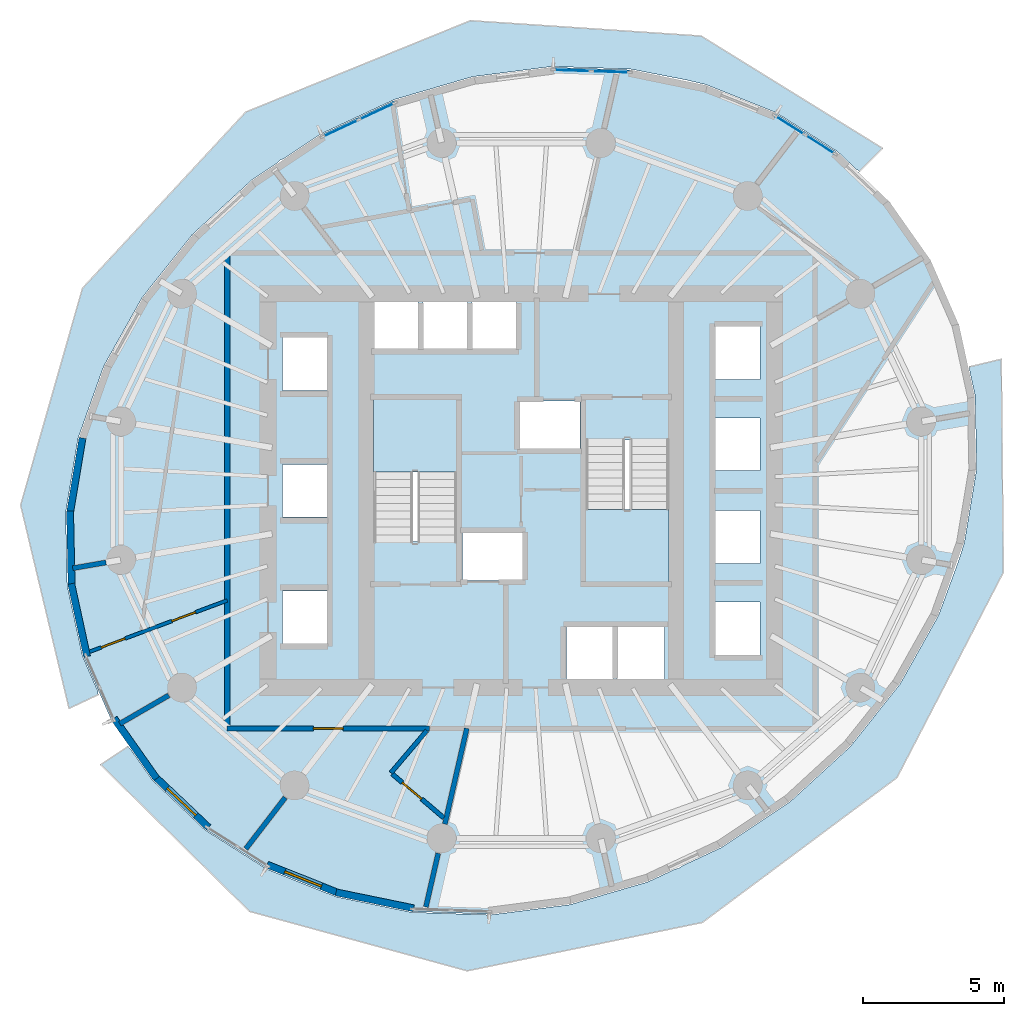
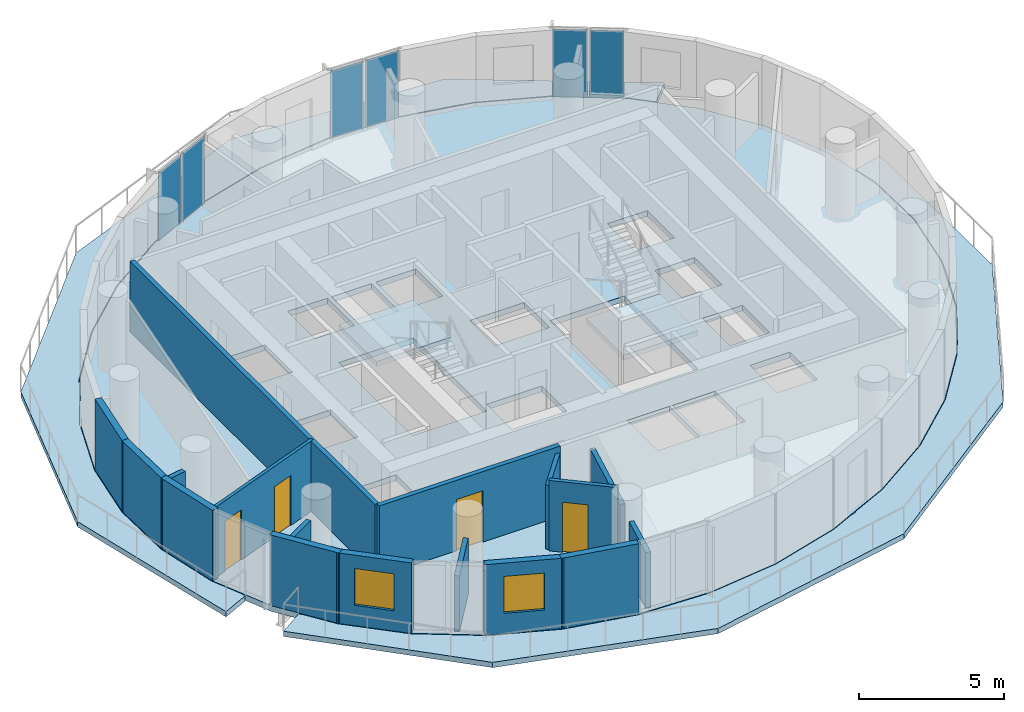
# One storey, part 5 of 13: 17 walls, 6 plates, 5 slabs, 4 doors, 2 windows, 6 openings, 5 elements without a shape of their own.
"""IFC4 building model written with IfcOpenShell, lengths in metres."""

from ifc_helpers import new_model, si_unit, direction, frame, frame_2d, origin, origin_2d, place, context, subcontext, project, spatial, polyline, rectangle, outline, extrude, material, layer, layer_set, type_object, element, fill, aggregate, save


model = new_model("IFC4")

# Units and contexts
model_context = context("Model", 3, precision=1e-05, world=origin(), true_north=direction((0.0, 1.0)))
body_context = subcontext(model_context, "Body", "Model", "MODEL_VIEW")
ifc_project = project(units=[si_unit("LENGTHUNIT", "METRE"), si_unit("AREAUNIT", "SQUARE_METRE"), si_unit("VOLUMEUNIT", "CUBIC_METRE"), si_unit("PLANEANGLEUNIT", "RADIAN"), si_unit("MASSUNIT", "GRAM", prefix="KILO")], contexts=[model_context])

# Site, building, storey
site_placement = place(None, origin())
site = spatial("IfcSite", under=ifc_project, at=site_placement, CompositionType="ELEMENT")
building_placement = place(site_placement, origin())
building = spatial("IfcBuilding", under=site, at=building_placement, Name="Veldorim Arch Residences", CompositionType="ELEMENT")
storey_placement = place(building_placement, frame((0.0, 0.0, 120.159912109375)))
storey = spatial("IfcBuildingStorey", under=building, at=storey_placement, Name="L35", CompositionType="ELEMENT", Elevation=120.159912109375)

# Slabs
ifc_material_1 = material(Name="Concrete C40/50", Category="concrete")
ifc_layer_1 = layer(ifc_material_1, 0.219970703125, Name="Planted Crescent Cantilever Balcony Slab 220")
ifc_layer_set_1 = layer_set([ifc_layer_1], Name="Concrete C40/50")
slab_type_1 = type_object("IfcSlabType", Name="Planted Crescent Cantilever Balcony Slab 220", PredefinedType="FLOOR", material=ifc_layer_set_1)
slab_1_placement = place(storey_placement, frame((0.0, 0.0, -0.219970703125)))
element("IfcSlab", 1, at=slab_1_placement, inside=storey, type_object=slab_type_1, Name="L35 planted crescent balcony slab A", PredefinedType="FLOOR", context=body_context, shape_type="SweptSolid", body=[
    extrude(outline(polyline([(43.914306640625, 35.419677734375), (43.249267578125, 36.050048828125), (41.047607421875, 37.447265625), (38.57080078125, 38.435302734375), (37.8876953125, 38.596435546875), (35.894775390625, 38.985107421875), (33.1005859375, 39.079345703125), (30.27294921875, 38.715576171875), (27.498046875, 37.90478515625), (24.85986328125, 36.671875), (23.56103515625, 35.80419921875), (23.4208984375, 35.744873046875), (23.329345703125, 35.6494140625), (22.4384765625, 35.053955078125), (20.3076171875, 33.100341796875), (18.531494140625, 30.8701171875), (17.164794921875, 28.43115234375), (16.24853515625, 25.857421875), (15.81103515625, 23.22705078125), (15.865478515625, 20.6201171875), (16.41015625, 18.115478515625), (16.94287109375, 16.89892578125), (16.967529296875, 16.7509765625), (15.927001953125, 16.26123046875), (14.206787109375, 23.488525390625), (16.4072265625, 31.20068359375), (22.2080078125, 37.459228515625), (30.19482421875, 40.709228515625), (38.397216796875, 40.163330078125), (44.839111328125, 36.176513671875), (44.03076171875, 35.3583984375), (43.914306640625, 35.419677734375)])), origin(), (0.0, 0.0, 1.0), 0.219970703125),
])
slab_2_placement = place(storey_placement, frame((0.0, 0.0, -0.219970703125)))
element("IfcSlab", 2, at=slab_2_placement, inside=storey, type_object=slab_type_1, Name="L35 planted crescent balcony slab B", PredefinedType="FLOOR", context=body_context, shape_type="SweptSolid", body=[
    extrude(outline(polyline([(18.1259765625, 14.79931640625), (18.890380859375, 13.71337890625), (20.750732421875, 11.949951171875), (22.952392578125, 10.552734375), (25.42919921875, 9.564697265625), (28.105224609375, 9.014892578125), (30.8994140625, 8.920654296875), (33.72705078125, 9.284423828125), (36.501953125, 10.09521484375), (37.472412109375, 10.548583984375), (37.601806640625, 10.577392578125), (37.725341796875, 10.6669921875), (39.14013671875, 11.328125), (41.5615234375, 12.946044921875), (43.6923828125, 14.899658203125), (45.468505859375, 17.1298828125), (46.835205078125, 19.56884765625), (47.53515625, 21.474853515625), (47.75146484375, 22.142578125), (48.18896484375, 24.77294921875), (48.134521484375, 27.3798828125), (47.93994140625, 28.275146484375), (47.94775390625, 28.40673828125), (49.066162109375, 28.67431640625), (49.139404296875, 21.098876953125), (45.357421875, 13.800048828125), (38.440185546875, 8.652099609375), (30.081787109375, 6.932373046875), (22.34521484375, 9.04541015625), (17.05419921875, 14.260498046875), (18.01220703125, 14.89697265625), (18.1259765625, 14.79931640625)])), origin(), (0.0, 0.0, 1.0), 0.219970703125),
])

# Stair, slab
ifc_material_2 = material(Name="Concrete C40/50", Category="concrete")
stair_type = type_object("IfcStairType", Name="Reinforced Concrete Dogleg Exit Staircase", PredefinedType="HALF_TURN_STAIR", material=ifc_material_2)
stair_1_placement = place(storey_placement, origin())
stair_1 = element("IfcStair", 3, at=stair_1_placement, inside=storey, type_object=stair_type, Name="L35 Exit Staircase ST-1", PredefinedType="HALF_TURN_STAIR")
ifc_material_3 = material(Name="Concrete C40/50", Category="concrete")
ifc_layer_2 = layer(ifc_material_3, 0.199951171875, Name="Reinforced Concrete Stair Landing 200")
ifc_layer_set_2 = layer_set([ifc_layer_2], Name="Concrete C40/50")
slab_type_2 = type_object("IfcSlabType", Name="Reinforced Concrete Stair Landing 200", PredefinedType="LANDING", material=ifc_layer_set_2)
slab_3_placement = place(storey_placement, frame((0.0, 0.0, 1.400146484375)))
slab_3 = element("IfcSlab", 4, at=slab_3_placement, type_object=slab_type_2, Name="ST-1 landing 1", PredefinedType="LANDING", context=body_context, shape_type="SweptSolid", body=[
    extrude(outline(polyline([(29.7099609375, 24.669921875), (29.7099609375, 27.25), (26.75, 27.25), (26.75, 24.669921875), (29.7099609375, 24.669921875)])), origin(), (0.0, 0.0, 1.0), 0.199951171875),
])
aggregate(stair_1, [slab_3])

stair_2_placement = place(storey_placement, origin())
stair_2 = element("IfcStair", 5, at=stair_2_placement, inside=storey, type_object=stair_type, Name="L35 Exit Staircase ST-2", PredefinedType="HALF_TURN_STAIR")
slab_4_placement = place(storey_placement, frame((0.0, 0.0, 1.400146484375)))
slab_4 = element("IfcSlab", 6, at=slab_4_placement, type_object=slab_type_2, Name="ST-2 landing 1", PredefinedType="LANDING", context=body_context, shape_type="SweptSolid", body=[
    extrude(outline(polyline([(34.2900390625, 23.330078125), (34.2900390625, 20.75), (37.25, 20.75), (37.25, 23.330078125), (34.2900390625, 23.330078125)])), origin(), (0.0, 0.0, 1.0), 0.199951171875),
])
aggregate(stair_2, [slab_4])

# Slab
ifc_material_4 = material(Name="Concrete C40/50", Category="concrete")
ifc_layer_3 = layer(ifc_material_4, 0.239990234375, Name="Typical Residential Floor Slab 240")
ifc_layer_set_3 = layer_set([ifc_layer_3], Name="Concrete C40/50")
slab_type_3 = type_object("IfcSlabType", Name="Typical Residential Floor Slab 240", PredefinedType="FLOOR", material=ifc_layer_set_3)
slab_5_placement = place(storey_placement, frame((0.0, 0.0, -0.239990234375)))
element("IfcSlab", 7, at=slab_5_placement, inside=storey, type_object=slab_type_3, Name="L35 tower structural floor slab", PredefinedType="FLOOR", context=body_context, shape_type="SweptSolid", body=[
    extrude(outline(polyline([(46.54931640625, 32.197998046875), (45.090576171875, 34.270263671875), (43.23388671875, 36.0302734375), (41.0361328125, 37.4248046875), (38.563720703125, 38.411376953125), (35.891845703125, 38.960205078125), (33.101806640625, 39.05419921875), (30.278076171875, 38.69091796875), (27.5068359375, 37.88134765625), (24.8720703125, 36.64990234375), (22.453857421875, 35.0341796875), (20.32568359375, 33.083251953125), (18.552490234375, 30.856201171875), (17.1875, 28.4208984375), (16.27294921875, 25.851318359375), (15.8359375, 23.225341796875), (15.890380859375, 20.622802734375), (16.43408203125, 18.123046875), (17.45068359375, 15.802001953125), (18.909423828125, 13.729736328125), (20.76611328125, 11.9697265625), (22.9638671875, 10.5751953125), (25.436279296875, 9.588623046875), (28.108154296875, 9.039794921875), (30.898193359375, 8.94580078125), (33.721923828125, 9.30908203125), (36.4931640625, 10.11865234375), (39.1279296875, 11.35009765625), (41.546142578125, 12.9658203125), (43.67431640625, 14.916748046875), (45.447509765625, 17.143798828125), (46.8125, 19.5791015625), (47.72705078125, 22.148681640625), (48.1640625, 24.774658203125), (48.109619140625, 27.377197265625), (47.56591796875, 29.876953125), (46.54931640625, 32.197998046875)]), holes=[polyline([(23.510009765625, 20.43994140625), (25.090087890625, 20.43994140625), (25.090087890625, 18.56005859375), (23.510009765625, 18.56005859375), (23.510009765625, 20.43994140625)]), polyline([(29.909912109375, 22.544921875), (32.090087890625, 22.544921875), (32.090087890625, 20.81494140625), (29.909912109375, 20.81494140625), (29.909912109375, 22.544921875)]), polyline([(23.510009765625, 24.93994140625), (25.090087890625, 24.93994140625), (25.090087890625, 23.06005859375), (23.510009765625, 23.06005859375), (23.510009765625, 24.93994140625)]), polyline([(26.75, 27.25), (29.7099609375, 27.25), (29.7099609375, 22.195068359375), (26.75, 22.195068359375), (26.75, 27.25)]), polyline([(23.510009765625, 29.43994140625), (25.090087890625, 29.43994140625), (25.090087890625, 27.56005859375), (23.510009765625, 27.56005859375), (23.510009765625, 29.43994140625)]), polyline([(26.760009765625, 30.7900390625), (28.340087890625, 30.7900390625), (28.340087890625, 28.909912109375), (26.760009765625, 28.909912109375), (26.760009765625, 30.7900390625)]), polyline([(28.510009765625, 30.7900390625), (30.090087890625, 30.7900390625), (30.090087890625, 28.909912109375), (28.510009765625, 28.909912109375), (28.510009765625, 30.7900390625)]), polyline([(30.260009765625, 30.7900390625), (31.840087890625, 30.7900390625), (31.840087890625, 28.909912109375), (30.260009765625, 28.909912109375), (30.260009765625, 30.7900390625)]), polyline([(33.610107421875, 19.2900390625), (35.2900390625, 19.2900390625), (35.2900390625, 17.2099609375), (33.610107421875, 17.2099609375), (33.610107421875, 19.2900390625)]), polyline([(35.409912109375, 19.2900390625), (37.090087890625, 19.2900390625), (37.090087890625, 17.2099609375), (35.409912109375, 17.2099609375), (35.409912109375, 19.2900390625)]), polyline([(38.909912109375, 20.0400390625), (40.489990234375, 20.0400390625), (40.489990234375, 18.159912109375), (38.909912109375, 18.159912109375), (38.909912109375, 20.0400390625)]), polyline([(38.909912109375, 23.2900390625), (40.489990234375, 23.2900390625), (40.489990234375, 21.409912109375), (38.909912109375, 21.409912109375), (38.909912109375, 23.2900390625)]), polyline([(34.2900390625, 25.804931640625), (37.25, 25.804931640625), (37.25, 20.75), (34.2900390625, 20.75), (34.2900390625, 25.804931640625)]), polyline([(38.909912109375, 26.590087890625), (40.489990234375, 26.590087890625), (40.489990234375, 24.7099609375), (38.909912109375, 24.7099609375), (38.909912109375, 26.590087890625)]), polyline([(31.909912109375, 27.18505859375), (34.090087890625, 27.18505859375), (34.090087890625, 25.455078125), (31.909912109375, 25.455078125), (31.909912109375, 27.18505859375)]), polyline([(38.909912109375, 29.840087890625), (40.489990234375, 29.840087890625), (40.489990234375, 27.9599609375), (38.909912109375, 27.9599609375), (38.909912109375, 29.840087890625)])]), origin(), (0.0, 0.0, 1.0), 0.239990234375),
])

# Curtain wall, plates
ifc_material_5 = material(Name="Aluminium", Category="aluminium")
curtain_wall_type = type_object("IfcCurtainWallType", Name="Zone 3 High-Wind Unitised Curtain Wall", PredefinedType="NOTDEFINED", material=ifc_material_5)
curtain_wall_1_placement = place(storey_placement, origin())
curtain_wall_1 = element("IfcCurtainWall", 8, at=curtain_wall_1_placement, inside=storey, type_object=curtain_wall_type, Name="L35 unitised curtain wall bay 03", PredefinedType="NOTDEFINED")
ifc_material_6 = material(Name="Laminated Low-E Glass", Category="glass")
ifc_layer_4 = layer(ifc_material_6, 0.028076171875, Name="Zone 3 High-Wind Unitised Curtain Wall Glazing Panel 28")
ifc_layer_set_4 = layer_set([ifc_layer_4], Name="Laminated Low-E Glass")
plate_type = type_object("IfcPlateType", Name="Zone 3 High-Wind Unitised Curtain Wall Glazing Panel 28", PredefinedType="CURTAIN_PANEL", material=ifc_layer_set_4)
plate_1_placement = place(storey_placement, frame((41.55224609375, 36.99072265625, 0.06982421875), z_axis=(0.0, 0.0, 1.0), x_axis=(0.844374207403, -0.53575385941, 0.0)))
plate_1 = element("IfcPlate", 9, at=plate_1_placement, type_object=plate_type, Name="CW-Z3 panel 1.1", PredefinedType="CURTAIN_PANEL", context=body_context, shape_type="SweptSolid", body=[
    extrude(rectangle(XDim=1.196533203125, YDim=0.028076171875, at=origin_2d()), origin(), (0.0, 0.0, 1.0), 2.820068359375),
])
plate_2_placement = place(storey_placement, frame((42.62158203125, 36.312255859375, 0.06982421875), z_axis=(0.0, 0.0, 1.0), x_axis=(0.844374207403, -0.53575385941, 0.0)))
plate_2 = element("IfcPlate", 10, at=plate_2_placement, type_object=plate_type, Name="CW-Z3 panel 2.1", PredefinedType="CURTAIN_PANEL", context=body_context, shape_type="SweptSolid", body=[
    extrude(rectangle(XDim=1.196533203125, YDim=0.028076171875, at=origin_2d()), origin(), (0.0, 0.0, 1.0), 2.820068359375),
])
aggregate(curtain_wall_1, [plate_1, plate_2])

curtain_wall_2_placement = place(storey_placement, origin())
curtain_wall_2 = element("IfcCurtainWall", 11, at=curtain_wall_2_placement, inside=storey, type_object=curtain_wall_type, Name="L35 unitised curtain wall bay 06", PredefinedType="NOTDEFINED")
plate_3_placement = place(storey_placement, frame((33.813720703125, 38.940185546875, 0.06982421875), z_axis=(0.0, 0.0, 1.0), x_axis=(0.99943054268, -0.03374300459, 0.0)))
plate_3 = element("IfcPlate", 12, at=plate_3_placement, type_object=plate_type, Name="CW-Z3 panel 1.1", PredefinedType="CURTAIN_PANEL", context=body_context, shape_type="SweptSolid", body=[
    extrude(rectangle(XDim=1.290771484375, YDim=0.028076171875, at=origin_2d()), origin(), (0.0, 0.0, 1.0), 2.820068359375),
])
plate_4_placement = place(storey_placement, frame((35.173828125, 38.894287109375, 0.06982421875), z_axis=(0.0, 0.0, 1.0), x_axis=(0.99943054268, -0.03374300459, 0.0)))
plate_4 = element("IfcPlate", 13, at=plate_4_placement, type_object=plate_type, Name="CW-Z3 panel 2.1", PredefinedType="CURTAIN_PANEL", context=body_context, shape_type="SweptSolid", body=[
    extrude(rectangle(XDim=1.290771484375, YDim=0.028076171875, at=origin_2d()), origin(), (0.0, 0.0, 1.0), 2.820068359375),
])
aggregate(curtain_wall_2, [plate_3, plate_4])

curtain_wall_3_placement = place(storey_placement, origin())
curtain_wall_3 = element("IfcCurtainWall", 14, at=curtain_wall_3_placement, inside=storey, type_object=curtain_wall_type, Name="L35 unitised curtain wall bay 09", PredefinedType="NOTDEFINED")
plate_5_placement = place(storey_placement, frame((25.584716796875, 36.8837890625, 0.06982421875), z_axis=(0.0, 0.0, 1.0), x_axis=(0.905936142963, 0.423414341838, 0.0)))
plate_5 = element("IfcPlate", 15, at=plate_5_placement, type_object=plate_type, Name="CW-Z3 panel 1.1", PredefinedType="CURTAIN_PANEL", context=body_context, shape_type="SweptSolid", body=[
    extrude(rectangle(XDim=1.34912109375, YDim=0.028076171875, at=origin_2d()), origin(), (0.0, 0.0, 1.0), 2.820068359375),
])
plate_6_placement = place(storey_placement, frame((26.870361328125, 37.484619140625, 0.06982421875), z_axis=(0.0, 0.0, 1.0), x_axis=(0.905936142963, 0.423414341838, 0.0)))
plate_6 = element("IfcPlate", 16, at=plate_6_placement, type_object=plate_type, Name="CW-Z3 panel 2.1", PredefinedType="CURTAIN_PANEL", context=body_context, shape_type="SweptSolid", body=[
    extrude(rectangle(XDim=1.34912109375, YDim=0.028076171875, at=origin_2d()), origin(), (0.0, 0.0, 1.0), 2.820068359375),
])
aggregate(curtain_wall_3, [plate_5, plate_6])

# Wall, openings, doors
ifc_material_7 = material(Name="Acoustic Gypsum Board", Category="gypsum")
ifc_layer_5 = layer(ifc_material_7, 0.125, Name="Acoustic Stud Room Partition Wall 125")
ifc_layer_set_5 = layer_set([ifc_layer_5], Name="Acoustic Gypsum Board")
wall_type_1 = type_object("IfcWallType", Name="Acoustic Stud Room Partition Wall 125", PredefinedType="PARTITIONING", material=ifc_layer_set_5)
wall_1_placement = place(storey_placement, frame((16.49609375, 18.21435546875, 0.0), z_axis=(0.0, 0.0, 1.0), x_axis=(0.936891530049, 0.349620166641, 0.0)))
wall_1 = element("IfcWall", 17, at=wall_1_placement, inside=storey, type_object=wall_type_1, Name="L35 interior wall WL-RES-L35-017", PredefinedType="PARTITIONING", context=body_context, shape_type="SweptSolid", body=[
    extrude(rectangle(XDim=5.394287109375, YDim=0.125, at=frame_2d((2.697265625, 0.0))), origin(), (0.0, 0.0, 1.0), 2.955078125),
])
opening_1_placement = place(wall_1_placement, frame((0.616455078125, 0.0, 0.0)))
opening_1 = element("IfcOpeningElement", 18, at=opening_1_placement, cuts=wall_1, Name="Opening DR-INT", PredefinedType="OPENING", context=body_context, shape_type="SweptSolid", body=[
    extrude(rectangle(XDim=0.89990234375, YDim=2.10009765625, at=frame_2d((0.449951171875, 1.050048828125))), frame((0.0, 0.072509765625, 0.0), z_axis=(0.0, -1.0, 0.0), x_axis=(1.0, 0.0, 0.0)), (0.0, 0.0, 1.0), 0.14501953125),
])
opening_2_placement = place(wall_1_placement, frame((3.2919921875, 0.0, 0.0)))
opening_2 = element("IfcOpeningElement", 19, at=opening_2_placement, cuts=wall_1, Name="Opening DR-INT", PredefinedType="OPENING", context=body_context, shape_type="SweptSolid", body=[
    extrude(rectangle(XDim=0.89990234375, YDim=2.10009765625, at=frame_2d((0.449951171875, 1.050048828125))), frame((0.0, 0.072509765625, 0.0), z_axis=(0.0, -1.0, 0.0), x_axis=(1.0, 0.0, 0.0)), (0.0, 0.0, 1.0), 0.14501953125),
])
ifc_material_8 = material(Name="Engineered Timber", Category="wood")
door_type_1 = type_object("IfcDoorType", Name="Apartment Internal Room Timber Door 900x2100", OperationType="SINGLE_SWING_LEFT", PredefinedType="DOOR", material=ifc_material_8)
door_1_placement = place(opening_1_placement, origin())
door_1 = element("IfcDoor", 20, at=door_1_placement, inside=storey, type_object=door_type_1, Name="L35 interior door DR-RES-L35-010", OperationType="SINGLE_SWING_RIGHT", OverallHeight=2.10009765625, OverallWidth=0.89990234375, PredefinedType="DOOR", context=body_context, shape_type="SweptSolid", body=[
    extrude(rectangle(XDim=0.89990234375, YDim=2.10009765625, at=frame_2d((0.449951171875, 1.050048828125))), frame((0.0, 0.02490234375, 0.0), z_axis=(0.0, -1.0, 0.0), x_axis=(1.0, 0.0, 0.0)), (0.0, 0.0, 1.0), 0.050048828125),
])
fill(opening_1, door_1)
door_2_placement = place(opening_2_placement, origin())
door_2 = element("IfcDoor", 21, at=door_2_placement, inside=storey, type_object=door_type_1, Name="L35 interior door DR-RES-L35-011", OperationType="SINGLE_SWING_LEFT", OverallHeight=2.10009765625, OverallWidth=0.89990234375, PredefinedType="DOOR", context=body_context, shape_type="SweptSolid", body=[
    extrude(rectangle(XDim=0.89990234375, YDim=2.10009765625, at=frame_2d((0.449951171875, 1.050048828125))), frame((0.0, 0.02490234375, 0.0), z_axis=(0.0, -1.0, 0.0), x_axis=(1.0, 0.0, 0.0)), (0.0, 0.0, 1.0), 0.050048828125),
])
fill(opening_2, door_2)

# Walls
ifc_material_9 = material(Name="Lightweight Masonry Block & Gypsum", Category="masonry")
ifc_layer_6 = layer(ifc_material_9, 0.179931640625, Name="Compartment & Corridor Fire-Rated Party Wall 180")
ifc_layer_set_6 = layer_set([ifc_layer_6], Name="Lightweight Masonry Block & Gypsum")
wall_type_2 = type_object("IfcWallType", Name="Compartment & Corridor Fire-Rated Party Wall 180", PredefinedType="PARTITIONING", material=ifc_layer_set_6)
wall_2_placement = place(storey_placement, frame((17.24169921875, 21.44921875, 0.0), z_axis=(0.0, 0.0, 1.0), x_axis=(-0.985370848046, -0.170423859309, 0.0)))
element("IfcWall", 22, at=wall_2_placement, inside=storey, type_object=wall_type_2, Name="L35 interior wall WL-PIER-L35-09", PredefinedType="PARTITIONING", context=body_context, shape_type="SweptSolid", body=[
    extrude(rectangle(XDim=1.201904296875, YDim=0.179931640625, at=frame_2d((0.60107421875, 0.0))), origin(), (0.0, 0.0, 1.0), 2.3359375),
])
wall_3_placement = place(storey_placement, frame((19.472412109375, 16.72607421875, 0.0), z_axis=(0.0, 0.0, 1.0), x_axis=(-0.864841613648, -0.502044802088, 0.0)))
element("IfcWall", 23, at=wall_3_placement, inside=storey, type_object=wall_type_2, Name="L35 interior wall WL-PIER-L35-10", PredefinedType="PARTITIONING", context=body_context, shape_type="SweptSolid", body=[
    extrude(rectangle(XDim=2.0126953125, YDim=0.179931640625, at=frame_2d((1.00634765625, 0.0))), origin(), (0.0, 0.0, 1.0), 2.3359375),
])
wall_4_placement = place(storey_placement, frame((23.612060546875, 13.091552734375, 0.0), z_axis=(0.0, 0.0, 1.0), x_axis=(-0.609546695458, -0.792750166229, 0.0)))
element("IfcWall", 24, at=wall_4_placement, inside=storey, type_object=wall_type_2, Name="L35 interior wall WL-PIER-L35-11", PredefinedType="PARTITIONING", context=body_context, shape_type="SweptSolid", body=[
    extrude(rectangle(XDim=2.301513671875, YDim=0.179931640625, at=frame_2d((1.15087890625, 0.0))), origin(), (0.0, 0.0, 1.0), 2.3359375),
])
wall_5_placement = place(storey_placement, frame((29.049560546875, 11.11083984375, 0.0), z_axis=(0.0, 0.0, 1.0), x_axis=(-0.22314653936, -0.97478491062, 0.0)))
element("IfcWall", 25, at=wall_5_placement, inside=storey, type_object=wall_type_2, Name="L35 interior wall WL-PIER-L35-12", PredefinedType="PARTITIONING", context=body_context, shape_type="SweptSolid", body=[
    extrude(rectangle(XDim=1.957275390625, YDim=0.179931640625, at=frame_2d((0.978515625, 0.0))), origin(), (0.0, 0.0, 1.0), 2.3359375),
])

# Wall, opening, door
wall_6_placement = place(storey_placement, frame((28.7333984375, 15.550048828125, 0.0), z_axis=(0.0, 0.0, 1.0), x_axis=(-1.0, 0.0, 0.0)))
wall_6 = element("IfcWall", 26, at=wall_6_placement, inside=storey, type_object=wall_type_2, Name="L35 interior wall WL-RES-L35-004", PredefinedType="PARTITIONING", context=body_context, shape_type="SweptSolid", body=[
    extrude(rectangle(XDim=7.183349609375, YDim=0.179931640625, at=frame_2d((3.591796875, 0.0))), origin(), (0.0, 0.0, 1.0), 2.955078125),
])
opening_3_placement = place(wall_6_placement, frame((3.066650390625, 0.0, 0.0)))
opening_3 = element("IfcOpeningElement", 27, at=opening_3_placement, cuts=wall_6, Name="Opening DR-FLT", PredefinedType="OPENING", context=body_context, shape_type="SweptSolid", body=[
    extrude(rectangle(XDim=1.050048828125, YDim=2.14990234375, at=frame_2d((0.52490234375, 1.074951171875))), frame((0.0, 0.099853515625, 0.0), z_axis=(0.0, -1.0, 0.0), x_axis=(1.0, 0.0, 0.0)), (0.0, 0.0, 1.0), 0.199951171875),
])
ifc_material_10 = material(Name="Fire-Rated Timber", Category="wood")
door_type_2 = type_object("IfcDoorType", Name="Apartment Entrance Solid-Core Fire Door 1050x2150", OperationType="SINGLE_SWING_LEFT", PredefinedType="DOOR", material=ifc_material_10)
door_3_placement = place(opening_3_placement, origin())
door_3 = element("IfcDoor", 28, at=door_3_placement, inside=storey, type_object=door_type_2, Name="L35 interior door DR-RES-L35-008", OperationType="SINGLE_SWING_RIGHT", OverallHeight=2.14990234375, OverallWidth=1.050048828125, PredefinedType="DOOR", context=body_context, shape_type="SweptSolid", body=[
    extrude(rectangle(XDim=1.050048828125, YDim=2.14990234375, at=frame_2d((0.52490234375, 1.074951171875))), frame((0.0, 0.02490234375, 0.0), z_axis=(0.0, -1.0, 0.0), x_axis=(1.0, 0.0, 0.0)), (0.0, 0.0, 1.0), 0.050048828125),
])
fill(opening_3, door_3)

# Walls
wall_7_placement = place(storey_placement, frame((21.550048828125, 15.610107421875, 0.0), z_axis=(0.0, 0.0, 1.0), x_axis=(0.0, 1.0, 0.0)))
element("IfcWall", 29, at=wall_7_placement, inside=storey, type_object=wall_type_2, Name="L35 interior wall WL-RES-L35-005", PredefinedType="PARTITIONING", context=body_context, shape_type="SweptSolid", body=[
    extrude(rectangle(XDim=16.83984375, YDim=0.179931640625, at=frame_2d((8.419921875, 0.0))), origin(), (0.0, 0.0, 1.0), 2.955078125),
])
wall_8_placement = place(storey_placement, frame((29.287109375, 12.14892578125, 0.0), z_axis=(0.0, 0.0, 1.0), x_axis=(0.223423247062, 0.974721525705, 0.0)))
element("IfcWall", 30, at=wall_8_placement, inside=storey, type_object=wall_type_2, Name="L35 interior wall WL-RES-L35-007", PredefinedType="PARTITIONING", context=body_context, shape_type="SweptSolid", body=[
    extrude(rectangle(XDim=3.489013671875, YDim=0.179931640625, at=frame_2d((1.74462890625, 0.0))), origin(), (0.0, 0.0, 1.0), 2.3359375),
])
ifc_material_11 = material(Name="Precast concrete C40/50", Category="concrete")
ifc_layer_7 = layer(ifc_material_11, 0.25, Name="Tower Terracotta Spandrel & Pier Wall 250")
ifc_layer_set_7 = layer_set([ifc_layer_7], Name="Precast concrete C40/50")
wall_type_3 = type_object("IfcWallType", Name="Tower Terracotta Spandrel & Pier Wall 250", PredefinedType="SOLIDWALL", material=ifc_layer_set_7)
wall_9_placement = place(storey_placement, frame((15.951904296875, 23.160400390625, 0.0), z_axis=(0.0, 0.0, 1.0), x_axis=(0.164125638075, 0.986439443112, 0.0)))
element("IfcWall", 31, at=wall_9_placement, inside=storey, type_object=wall_type_3, Name="L35 terracotta facade wall 15", PredefinedType="SOLIDWALL", context=body_context, shape_type="SweptSolid", body=[
    extrude(rectangle(XDim=2.751953125, YDim=0.25, at=frame_2d((1.3759765625, 0.0))), origin(), (0.0, 0.0, 1.0), 2.960205078125),
])
wall_10_placement = place(storey_placement, frame((16.01611328125, 20.58056640625, 0.0), z_axis=(0.0, 0.0, 1.0), x_axis=(-0.020851468483, 0.999782584496, 0.0)))
element("IfcWall", 32, at=wall_10_placement, inside=storey, type_object=wall_type_3, Name="L35 terracotta facade wall 16", PredefinedType="SOLIDWALL", context=body_context, shape_type="SweptSolid", body=[
    extrude(rectangle(XDim=2.69287109375, YDim=0.25, at=frame_2d((1.346435546875, 0.0))), origin(), (0.0, 0.0, 1.0), 2.960205078125),
])
wall_11_placement = place(storey_placement, frame((16.565673828125, 18.105712890625, 0.0), z_axis=(0.0, 0.0, 1.0), x_axis=(-0.212506194302, 0.977159719485, 0.0)))
element("IfcWall", 33, at=wall_11_placement, inside=storey, type_object=wall_type_3, Name="L35 terracotta facade wall 17", PredefinedType="SOLIDWALL", context=body_context, shape_type="SweptSolid", body=[
    extrude(rectangle(XDim=2.648193359375, YDim=0.25, at=frame_2d((1.32421875, 0.0))), origin(), (0.0, 0.0, 1.0), 2.960205078125),
])
wall_12_placement = place(storey_placement, frame((19.03759765625, 13.764892578125, 0.0), z_axis=(0.0, 0.0, 1.0), x_axis=(-0.575627066149, 0.817712345949, 0.0)))
element("IfcWall", 34, at=wall_12_placement, inside=storey, type_object=wall_type_3, Name="L35 terracotta facade wall 19", PredefinedType="SOLIDWALL", context=body_context, shape_type="SweptSolid", body=[
    extrude(rectangle(XDim=2.6240234375, YDim=0.25, at=frame_2d((1.31201171875, 0.0))), origin(), (0.0, 0.0, 1.0), 2.960205078125),
])

# Wall, opening, window
wall_13_placement = place(storey_placement, frame((20.884765625, 12.029541015625, 0.0), z_axis=(0.0, 0.0, 1.0), x_axis=(-0.725707968309, 0.688002866805, 0.0)))
wall_13 = element("IfcWall", 35, at=wall_13_placement, inside=storey, type_object=wall_type_3, Name="L35 terracotta facade wall 20", PredefinedType="SOLIDWALL", context=body_context, shape_type="SweptSolid", body=[
    extrude(rectangle(XDim=2.648193359375, YDim=0.25, at=frame_2d((1.32421875, 0.0))), origin(), (0.0, 0.0, 1.0), 2.960205078125),
])
opening_4_placement = place(wall_13_placement, frame((0.6240234375, 0.0, 0.85009765625)))
opening_4 = element("IfcOpeningElement", 36, at=opening_4_placement, cuts=wall_13, Name="Opening WN-02", PredefinedType="OPENING", context=body_context, shape_type="SweptSolid", body=[
    extrude(rectangle(XDim=1.39990234375, YDim=1.550048828125, at=frame_2d((0.699951171875, 0.77490234375))), frame((0.0, 0.135009765625, 0.0), z_axis=(0.0, -1.0, 0.0), x_axis=(1.0, 0.0, 0.0)), (0.0, 0.0, 1.0), 0.27001953125),
])
ifc_material_12 = material(Name="Laminated Low-E Glass", Category="glass")
window_type = type_object("IfcWindowType", Name="Residential Casement Window 1400x1550", PartitioningType="SINGLE_PANEL", PredefinedType="WINDOW", material=ifc_material_12)
window_1_placement = place(opening_4_placement, origin())
window_1 = element("IfcWindow", 37, at=window_1_placement, inside=storey, type_object=window_type, Name="L35 solar-control facade window 20", OverallHeight=1.550048828125, OverallWidth=1.39990234375, PartitioningType="SINGLE_PANEL", PredefinedType="WINDOW", context=body_context, shape_type="SweptSolid", body=[
    extrude(rectangle(XDim=1.39990234375, YDim=1.550048828125, at=frame_2d((0.699951171875, 0.77490234375))), frame((0.0, 0.030029296875, 0.0), z_axis=(0.0, -1.0, 0.0), x_axis=(1.0, 0.0, 0.0)), (0.0, 0.0, 1.0), 0.06005859375),
])
fill(opening_4, window_1)

wall_14_placement = place(storey_placement, frame((25.5244140625, 9.68798828125, 0.0), z_axis=(0.0, 0.0, 1.0), x_axis=(-0.928770081868, 0.370656357058, 0.0)))
wall_14 = element("IfcWall", 38, at=wall_14_placement, inside=storey, type_object=wall_type_3, Name="L35 terracotta facade wall 22", PredefinedType="SOLIDWALL", context=body_context, shape_type="SweptSolid", body=[
    extrude(rectangle(XDim=2.751953125, YDim=0.25, at=frame_2d((1.3759765625, 0.0))), origin(), (0.0, 0.0, 1.0), 2.960205078125),
])
opening_5_placement = place(wall_14_placement, frame((0.676025390625, 0.0, 0.85009765625)))
opening_5 = element("IfcOpeningElement", 39, at=opening_5_placement, cuts=wall_14, Name="Opening WN-02", PredefinedType="OPENING", context=body_context, shape_type="SweptSolid", body=[
    extrude(rectangle(XDim=1.39990234375, YDim=1.550048828125, at=frame_2d((0.699951171875, 0.77490234375))), frame((0.0, 0.135009765625, 0.0), z_axis=(0.0, -1.0, 0.0), x_axis=(1.0, 0.0, 0.0)), (0.0, 0.0, 1.0), 0.27001953125),
])
window_2_placement = place(opening_5_placement, origin())
window_2 = element("IfcWindow", 40, at=window_2_placement, inside=storey, type_object=window_type, Name="L35 solar-control facade window 22", OverallHeight=1.550048828125, OverallWidth=1.39990234375, PartitioningType="SINGLE_PANEL", PredefinedType="WINDOW", context=body_context, shape_type="SweptSolid", body=[
    extrude(rectangle(XDim=1.39990234375, YDim=1.550048828125, at=frame_2d((0.699951171875, 0.77490234375))), frame((0.0, 0.030029296875, 0.0), z_axis=(0.0, -1.0, 0.0), x_axis=(1.0, 0.0, 0.0)), (0.0, 0.0, 1.0), 0.06005859375),
])
fill(opening_5, window_2)

# Walls
wall_15_placement = place(storey_placement, frame((28.177490234375, 9.1533203125, 0.0), z_axis=(0.0, 0.0, 1.0), x_axis=(-0.97955106245, 0.20119571579, 0.0)))
element("IfcWall", 41, at=wall_15_placement, inside=storey, type_object=wall_type_3, Name="L35 terracotta facade wall 23", PredefinedType="SOLIDWALL", context=body_context, shape_type="SweptSolid", body=[
    extrude(rectangle(XDim=2.817626953125, YDim=0.25, at=frame_2d((1.40869140625, 0.0))), origin(), (0.0, 0.0, 1.0), 2.960205078125),
])
ifc_material_13 = material(Name="Moisture-Resistant Gypsum & Stud", Category="gypsum")
ifc_layer_8 = layer(ifc_material_13, 0.159912109375, Name="Wet-Area Moisture-Resistant Plumbing Wall 160")
ifc_layer_set_8 = layer_set([ifc_layer_8], Name="Moisture-Resistant Gypsum & Stud")
wall_type_4 = type_object("IfcWallType", Name="Wet-Area Moisture-Resistant Plumbing Wall 160", PredefinedType="PLUMBINGWALL", material=ifc_layer_set_8)
wall_16_placement = place(storey_placement, frame((28.648681640625, 15.473876953125, 0.0), z_axis=(0.0, 0.0, 1.0), x_axis=(-0.64821168269, -0.761460185712, 0.0)))
element("IfcWall", 42, at=wall_16_placement, inside=storey, type_object=wall_type_4, Name="L35 interior wall WL-RES-L35-015", PredefinedType="PLUMBINGWALL", context=body_context, shape_type="SweptSolid", body=[
    extrude(rectangle(XDim=1.974609375, YDim=0.159912109375, at=frame_2d((0.9873046875, 0.0))), origin(), (0.0, 0.0, 1.0), 2.692138671875),
])

# Wall, opening, door
wall_17_placement = place(storey_placement, frame((27.414306640625, 13.931396484375, 0.0), z_axis=(0.0, 0.0, 1.0), x_axis=(0.761436059215, -0.648240023237, 0.0)))
wall_17 = element("IfcWall", 43, at=wall_17_placement, inside=storey, type_object=wall_type_4, Name="L35 interior wall WL-RES-L35-016", PredefinedType="PLUMBINGWALL", context=body_context, shape_type="SweptSolid", body=[
    extrude(rectangle(XDim=2.406982421875, YDim=0.159912109375, at=frame_2d((1.20361328125, 0.0))), origin(), (0.0, 0.0, 1.0), 2.955078125),
])
opening_6_placement = place(wall_17_placement, frame((0.473388671875, 0.0, 0.0)))
opening_6 = element("IfcOpeningElement", 44, at=opening_6_placement, cuts=wall_17, Name="Opening DR-WC", PredefinedType="OPENING", context=body_context, shape_type="SweptSolid", body=[
    extrude(rectangle(XDim=0.89990234375, YDim=2.10009765625, at=frame_2d((0.449951171875, 1.050048828125))), frame((0.0, 0.08984375, 0.0), z_axis=(0.0, -1.0, 0.0), x_axis=(1.0, 0.0, 0.0)), (0.0, 0.0, 1.0), 0.179931640625),
])
ifc_material_14 = material(Name="Laminate Timber", Category="wood")
door_type_3 = type_object("IfcDoorType", Name="Bathroom & Accessible WC Moisture-Sealed Door 900x2100", OperationType="SINGLE_SWING_LEFT", PredefinedType="DOOR", material=ifc_material_14)
door_4_placement = place(opening_6_placement, origin())
door_4 = element("IfcDoor", 45, at=door_4_placement, inside=storey, type_object=door_type_3, Name="L35 interior door DR-RES-L35-009", OperationType="SINGLE_SWING_LEFT", OverallHeight=2.10009765625, OverallWidth=0.89990234375, PredefinedType="DOOR", context=body_context, shape_type="SweptSolid", body=[
    extrude(rectangle(XDim=0.89990234375, YDim=2.10009765625, at=frame_2d((0.449951171875, 1.050048828125))), frame((0.0, 0.02490234375, 0.0), z_axis=(0.0, -1.0, 0.0), x_axis=(1.0, 0.0, 0.0)), (0.0, 0.0, 1.0), 0.050048828125),
])
fill(opening_6, door_4)

save(model, "model.ifc")
